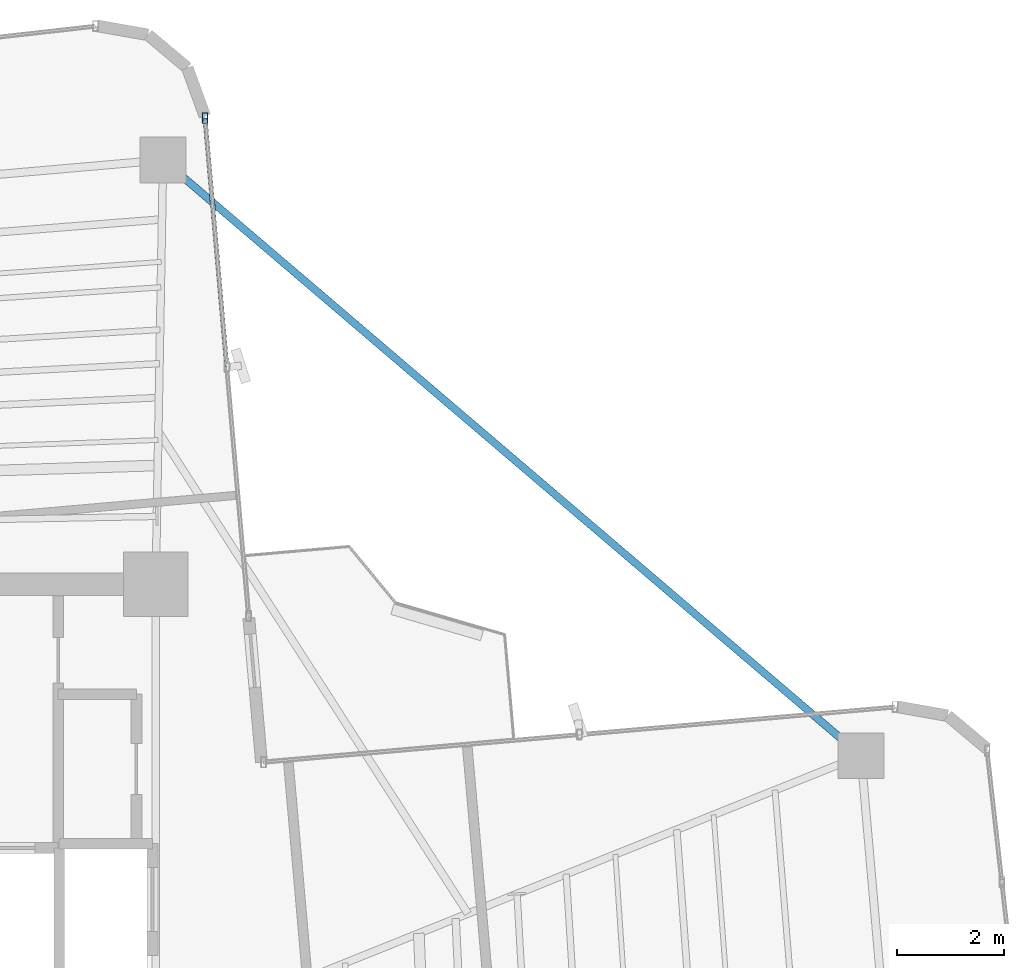
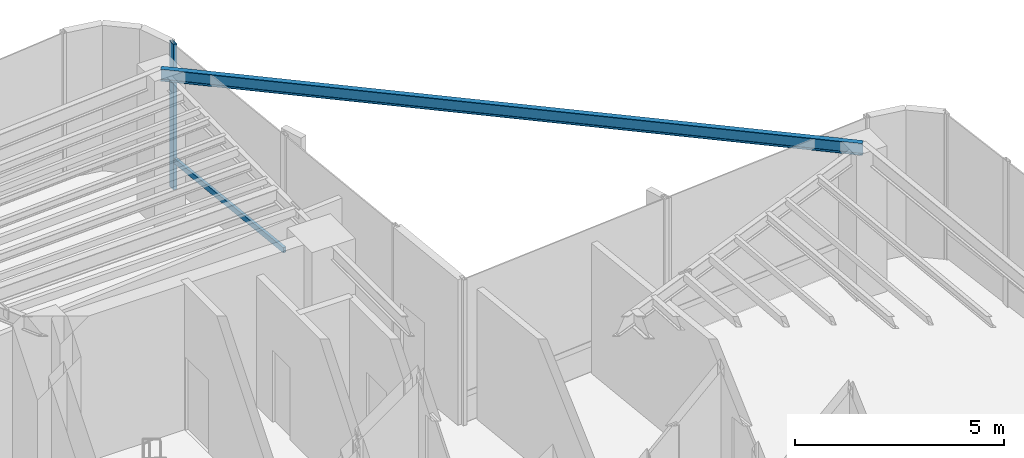
# One storey, part 11 of 19: 2 members, 1 beam, 1 element without a shape of its own.
"""IFC4 building model written with IfcOpenShell, lengths in metres."""

from ifc_helpers import new_model, si_unit, direction, frame, origin, origin_2d, place, context, subcontext, project, spatial, hollow_rectangle, i_section, extrude, source, transform, mapped, material, material_profile, profile_set, type_object, element, aggregate, save


model = new_model("IFC4")

# Units and contexts
model_context = context("Model", 3, precision=1e-05, world=origin(), true_north=direction((0.0, 1.0)))
body_context = subcontext(model_context, "Body", "Model", "MODEL_VIEW")
ifc_project = project(units=[si_unit("LENGTHUNIT", "METRE"), si_unit("AREAUNIT", "SQUARE_METRE"), si_unit("VOLUMEUNIT", "CUBIC_METRE"), si_unit("PLANEANGLEUNIT", "RADIAN"), si_unit("MASSUNIT", "GRAM", prefix="KILO")], contexts=[model_context])

# Site, building, storey
site_placement = place(None, origin())
site = spatial("IfcSite", under=ifc_project, at=site_placement, CompositionType="ELEMENT")
building_placement = place(site_placement, origin())
building = spatial("IfcBuilding", under=site, at=building_placement, Name="Sahyath Konkavel Grand Hotel", CompositionType="ELEMENT")
storey_placement = place(building_placement, frame((0.0, 0.0, 170.699951171875)))
storey = spatial("IfcBuildingStorey", under=building, at=storey_placement, Name="L47", CompositionType="ELEMENT", Elevation=170.699951171875)

# Beam
ifc_material_1 = material(Name="Steel E350", Category="steel")
ifc_material_profile_1 = material_profile(ifc_material_1, i_section(OverallWidth=0.139892578125, OverallDepth=0.35009765625, WebThickness=0.008056640625, FlangeThickness=0.01416015625, FilletRadius=0.013916015625, at=origin_2d()), Name="ISMB 350")
ifc_profile_set_1 = profile_set([ifc_material_profile_1], Name="Steel E350")
beam_type = type_object("IfcBeamType", Name="BM-ISMB350", PredefinedType="BEAM", material=ifc_profile_set_1)
shared_shape_1 = source(origin(), body_context, "Body", "SweptSolid", [
    extrude(i_section(OverallWidth=0.139892578125, OverallDepth=0.35009765625, WebThickness=0.008056640625, FlangeThickness=0.01416015625, FilletRadius=0.013916015625, at=origin_2d()), origin(), (0.0, 0.0, 1.0), 17.11279296875),
])
beam_placement = place(storey_placement, frame((16.9541015625, 7.00439453125, 4.0849609375), z_axis=(-0.760711911164, 0.649089661151, 0.0), x_axis=(-0.649089661151, -0.760711911164, 0.0)))
element("IfcBeam", 1, at=beam_placement, inside=storey, type_object=beam_type, Name="L47 Re-Entrant Tie Beam NE", PredefinedType="BEAM", context=body_context, shape_type="MappedRepresentation", body=[
    mapped(shared_shape_1, transform((0.0, 0.0, 0.0), scale=1.0)),
])

# Curtain wall, members
ifc_material_2 = material(Name="Anodised Bronze Aluminium & Low-E Glazing", Category="aluminium")
curtain_wall_type = type_object("IfcCurtainWallType", Name="CW-SKYLOBBY", PredefinedType="NOTDEFINED", material=ifc_material_2)
curtain_wall_placement = place(storey_placement, origin())
curtain_wall = element("IfcCurtainWall", 2, at=curtain_wall_placement, inside=storey, type_object=curtain_wall_type, Name="L47 Unitised Curtain Wall F8", PredefinedType="NOTDEFINED")
ifc_material_3 = material(Name="Anodised Bronze Aluminium", Category="aluminium")
ifc_material_profile_2 = material_profile(ifc_material_3, hollow_rectangle(XDim=0.10009765625, YDim=0.199951171875, WallThickness=0.008056640625, at=origin_2d()), Name="RHS 200x100x8")
ifc_profile_set_2 = profile_set([ifc_material_profile_2], Name="Anodised Bronze Aluminium")
member_type_1 = type_object("IfcMemberType", Name="CW-MUL-200", PredefinedType="MULLION", material=ifc_profile_set_2)
shared_shape_2 = source(origin(), body_context, "Body", "SweptSolid", [
    extrude(hollow_rectangle(XDim=0.10009765625, YDim=0.199951171875, WallThickness=0.008056640625, at=origin_2d()), origin(), (0.0, 0.0, 1.0), 4.260009765625),
])
member_1_placement = place(storey_placement, frame((4.72119140625, 18.893310546875, 0.0), z_axis=(0.0, 0.0, 1.0), x_axis=(1.0, 0.0, 0.0)))
member_1 = element("IfcMember", 3, at=member_1_placement, type_object=member_type_1, Name="L47 Curtain Wall Mullion F8-2", PredefinedType="MULLION", context=body_context, shape_type="MappedRepresentation", body=[
    mapped(shared_shape_2, transform((0.0, 0.0, 0.0), scale=1.0)),
])
ifc_material_profile_3 = material_profile(ifc_material_3, hollow_rectangle(XDim=0.080078125, YDim=0.159912109375, WallThickness=0.006103515625, at=origin_2d()), Name="RHS 160x80x6")
ifc_profile_set_3 = profile_set([ifc_material_profile_3], Name="Anodised Bronze Aluminium")
member_type_2 = type_object("IfcMemberType", Name="CW-TRN-160", PredefinedType="USERDEFINED", material=ifc_profile_set_3)
shared_shape_3 = source(origin(), body_context, "Body", "SweptSolid", [
    extrude(hollow_rectangle(XDim=0.080078125, YDim=0.159912109375, WallThickness=0.006103515625, at=origin_2d()), origin(), (0.0, 0.0, 1.0), 4.659912109375),
])
member_2_placement = place(storey_placement, frame((5.12744140625, 14.251220703125, 0.85009765625), z_axis=(-0.087181248758, 0.996192466276, 0.0), x_axis=(-0.996192466276, -0.087181248758, 0.0)))
member_2 = element("IfcMember", 4, at=member_2_placement, type_object=member_type_2, Name="L47 Curtain Wall Transom F8-1-spandrel", ObjectType="TRANSOM", PredefinedType="USERDEFINED", context=body_context, shape_type="MappedRepresentation", body=[
    mapped(shared_shape_3, transform((0.0, 0.0, 0.0), scale=1.0)),
])
aggregate(curtain_wall, [member_1, member_2])

save(model, "model.ifc")
